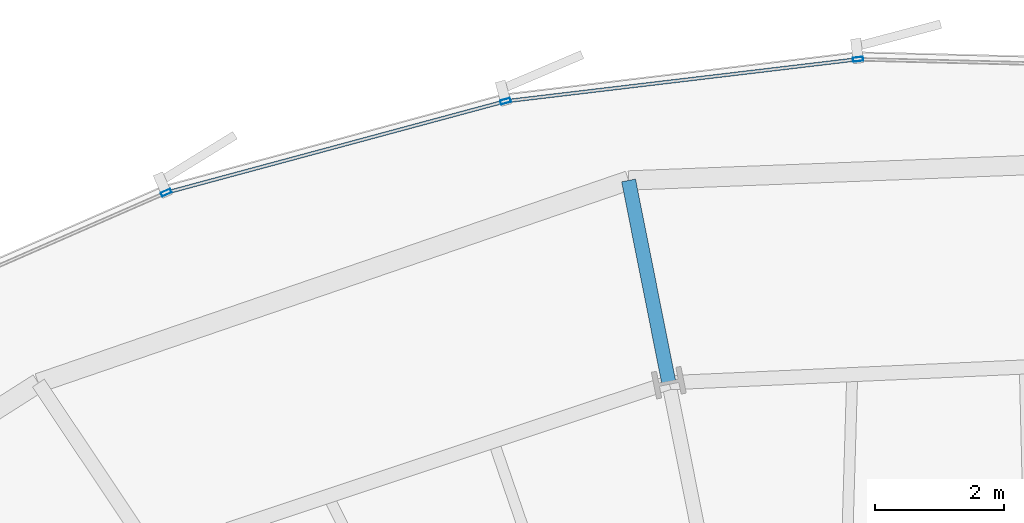
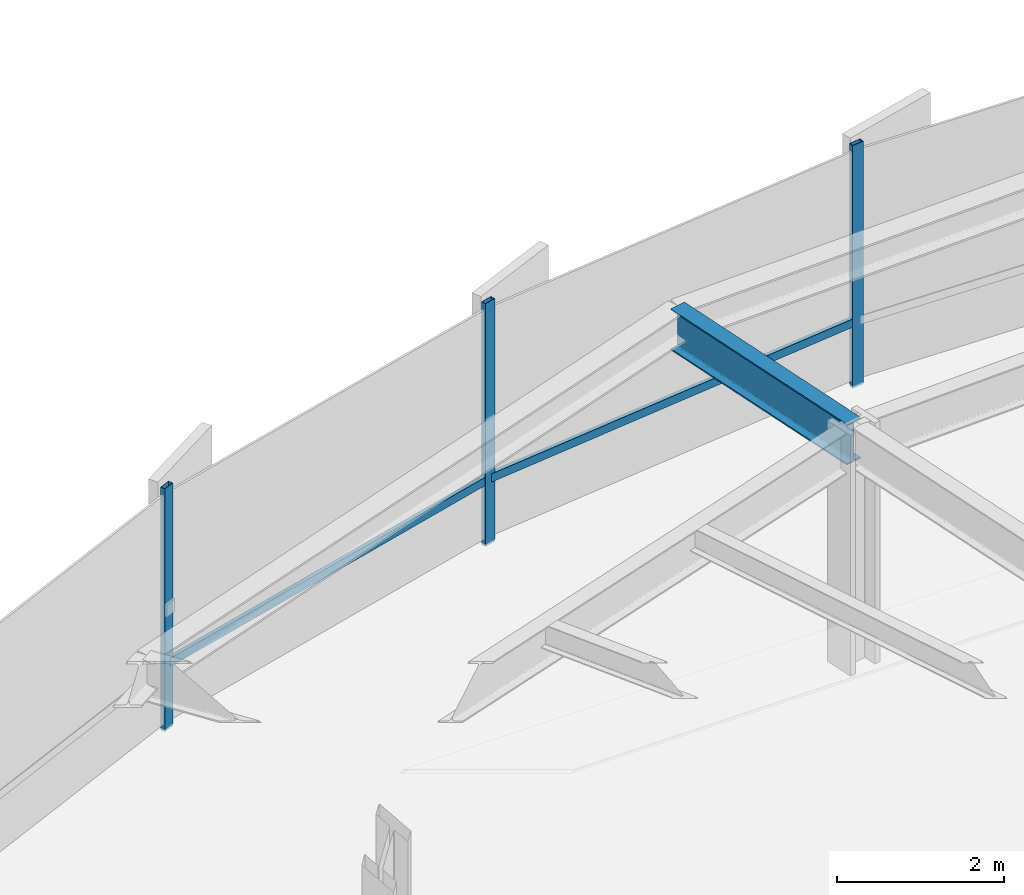
# One storey, part 21 of 39: 5 members, 1 beam, 1 element without a shape of its own.
"""IFC4 building model written with IfcOpenShell, lengths in metres."""

from ifc_helpers import new_model, si_unit, direction, frame, origin, origin_2d, place, context, subcontext, project, spatial, hollow_rectangle, i_section, extrude, source, transform, mapped, material, layer, layer_set, material_profile, profile_set, type_object, element, aggregate, save


model = new_model("IFC4")

# Units and contexts
model_context = context("Model", 3, precision=1e-05, world=origin(), true_north=direction((0.0, 1.0)))
body_context = subcontext(model_context, "Body", "Model", "MODEL_VIEW")
ifc_project = project(units=[si_unit("LENGTHUNIT", "METRE"), si_unit("AREAUNIT", "SQUARE_METRE"), si_unit("VOLUMEUNIT", "CUBIC_METRE"), si_unit("PLANEANGLEUNIT", "RADIAN"), si_unit("MASSUNIT", "GRAM", prefix="KILO"), si_unit("THERMODYNAMICTEMPERATUREUNIT", "KELVIN")], contexts=[model_context])

# Site, building, storey
site_placement = place(None, origin())
site = spatial("IfcSite", under=ifc_project, at=site_placement, CompositionType="ELEMENT")
building_placement = place(site_placement, origin())
building = spatial("IfcBuilding", under=site, at=building_placement, Name="Kethvar Cultural Tower", CompositionType="ELEMENT")
storey_placement = place(building_placement, frame((0.0, 0.0, 41.0)))
storey = spatial("IfcBuildingStorey", under=building, at=storey_placement, Name="L09", CompositionType="ELEMENT", Elevation=41.0)

# Beam
ifc_material_1 = material(Name="Steel S355J2", Category="steel")
ifc_material_profile_1 = material_profile(ifc_material_1, i_section(OverallWidth=0.219970703125, OverallDepth=0.60009765625, WebThickness=0.011962890625, FlangeThickness=0.01904296875, FilletRadius=0.02392578125, at=origin_2d()), Name="Steel S355J2 — IPE600")
ifc_profile_set_1 = profile_set([ifc_material_profile_1], Name="Steel S355J2 — IPE600")
beam_type = type_object("IfcBeamType", Name="BM-IPE600", PredefinedType="BEAM", material=ifc_profile_set_1)
shared_shape_1 = source(origin(), body_context, "Body", "SweptSolid", [
    extrude(i_section(OverallWidth=0.219970703125, OverallDepth=0.60009765625, WebThickness=0.011962890625, FlangeThickness=0.01904296875, FilletRadius=0.02392578125, at=origin_2d()), origin(), (0.0, 0.0, 1.0), 3.199951171875),
])
beam_placement = place(storey_placement, frame((42.651611328125, 48.65576171875, 3.248046875), z_axis=(-0.195162356126, 0.980770949178, 0.0), x_axis=(-0.980770949178, -0.195162356126, 0.0)))
element("IfcBeam", 1, at=beam_placement, inside=storey, type_object=beam_type, Name="L09 Perimeter Cantilever Beam RC-05", PredefinedType="BEAM", context=body_context, shape_type="MappedRepresentation", body=[
    mapped(shared_shape_1, transform((0.0, 0.0, 0.0), scale=1.0)),
])

# Curtain wall, members
ifc_material_2 = material(Name="Aluminium 6063-T6", Category="aluminium")
ifc_layer = layer(ifc_material_2, 0.179931640625, Name="Aluminium 6063-T6", Category="aluminium")
ifc_layer_set = layer_set([ifc_layer], Name="Aluminium 6063-T6 (180 mm)")
curtain_wall_type = type_object("IfcCurtainWallType", Name="CW-SYS-02-Z1", PredefinedType="NOTDEFINED", material=ifc_layer_set)
curtain_wall_placement = place(storey_placement, origin())
curtain_wall = element("IfcCurtainWall", 2, at=curtain_wall_placement, inside=storey, type_object=curtain_wall_type, Name="L09 Curtain Wall Run 02", PredefinedType="NOTDEFINED")
ifc_material_profile_2 = material_profile(ifc_material_2, hollow_rectangle(XDim=0.06494140625, YDim=0.159912109375, WallThickness=0.0048828125, at=origin_2d()), Name="Aluminium 6063-T6 — RHS160x65x5")
ifc_profile_set_2 = profile_set([ifc_material_profile_2], Name="Aluminium 6063-T6 — RHS160x65x5")
member_type_1 = type_object("IfcMemberType", Name="CW-SYS-02-Z1-MUL", PredefinedType="MULLION", material=ifc_profile_set_2)
shared_shape_2 = source(origin(), body_context, "Body", "SweptSolid", [
    extrude(hollow_rectangle(XDim=0.06494140625, YDim=0.159912109375, WallThickness=0.0048828125, at=origin_2d()), origin(), (0.0, 0.0, 1.0), 3.550048828125),
])
member_1_placement = place(storey_placement, frame((45.58837890625, 53.675537109375, 0.0), z_axis=(0.0, 0.0, 1.0), x_axis=(0.118438629269, -0.992961374423, 0.0)))
member_1 = element("IfcMember", 3, at=member_1_placement, type_object=member_type_1, Name="CW-L09-R02 Mullion 4", PredefinedType="MULLION", context=body_context, shape_type="MappedRepresentation", body=[
    mapped(shared_shape_2, transform((0.0, 0.0, 0.0), scale=1.0)),
])
member_2_placement = place(storey_placement, frame((40.11767578125, 53.0244140625, 0.0), z_axis=(0.0, 0.0, 1.0), x_axis=(0.260302294816, -0.96552716964, 0.0)))
member_2 = element("IfcMember", 4, at=member_2_placement, type_object=member_type_1, Name="CW-L09-R02 Mullion 5", PredefinedType="MULLION", context=body_context, shape_type="MappedRepresentation", body=[
    mapped(shared_shape_2, transform((0.0, 0.0, 0.0), scale=1.0)),
])
member_3_placement = place(storey_placement, frame((34.850830078125, 51.605712890625, 0.0), z_axis=(0.0, 0.0, 1.0), x_axis=(0.400684870141, -0.916215932431, 0.0)))
member_3 = element("IfcMember", 5, at=member_3_placement, type_object=member_type_1, Name="CW-L09-R02 Mullion 6", PredefinedType="MULLION", context=body_context, shape_type="MappedRepresentation", body=[
    mapped(shared_shape_2, transform((0.0, 0.0, 0.0), scale=1.0)),
])
ifc_material_profile_3 = material_profile(ifc_material_2, hollow_rectangle(XDim=0.054931640625, YDim=0.1201171875, WallThickness=0.00390625, at=origin_2d()), Name="Aluminium 6063-T6 — RHS120x55x4")
ifc_profile_set_3 = profile_set([ifc_material_profile_3], Name="Aluminium 6063-T6 — RHS120x55x4")
member_type_2 = type_object("IfcMemberType", Name="CW-SYS-02-Z1-TRN", PredefinedType="USERDEFINED", material=ifc_profile_set_3)
shared_shape_3 = source(origin(), body_context, "Body", "SweptSolid", [
    extrude(hollow_rectangle(XDim=0.054931640625, YDim=0.1201171875, WallThickness=0.00390625, at=origin_2d()), origin(), (0.0, 0.0, 1.0), 5.432861328125),
])
member_4_placement = place(storey_placement, frame((45.541748046875, 53.670166015625, 0.949951171875), z_axis=(-0.992959105653, -0.118457648556, 0.0), x_axis=(0.118457648556, -0.992959105653, 0.0)))
member_4 = element("IfcMember", 6, at=member_4_placement, type_object=member_type_2, Name="CW-L09-R02 Transom 4", ObjectType="TRANSOM", PredefinedType="USERDEFINED", context=body_context, shape_type="MappedRepresentation", body=[
    mapped(shared_shape_3, transform((0.0, 0.0, 0.0), scale=1.0)),
])
shared_shape_4 = source(origin(), body_context, "Body", "SweptSolid", [
    extrude(hollow_rectangle(XDim=0.054931640625, YDim=0.1201171875, WallThickness=0.00390625, at=origin_2d()), origin(), (0.0, 0.0, 1.0), 5.37890625),
])
member_5_placement = place(storey_placement, frame((40.072509765625, 53.01220703125, 0.949951171875), z_axis=(-0.965525422151, -0.260308776609, 0.0), x_axis=(0.260308776609, -0.965525422151, 0.0)))
member_5 = element("IfcMember", 7, at=member_5_placement, type_object=member_type_2, Name="CW-L09-R02 Transom 5", ObjectType="TRANSOM", PredefinedType="USERDEFINED", context=body_context, shape_type="MappedRepresentation", body=[
    mapped(shared_shape_4, transform((0.0, 0.0, 0.0), scale=1.0)),
])
aggregate(curtain_wall, [member_1, member_2, member_3, member_4, member_5])

save(model, "model.ifc")
